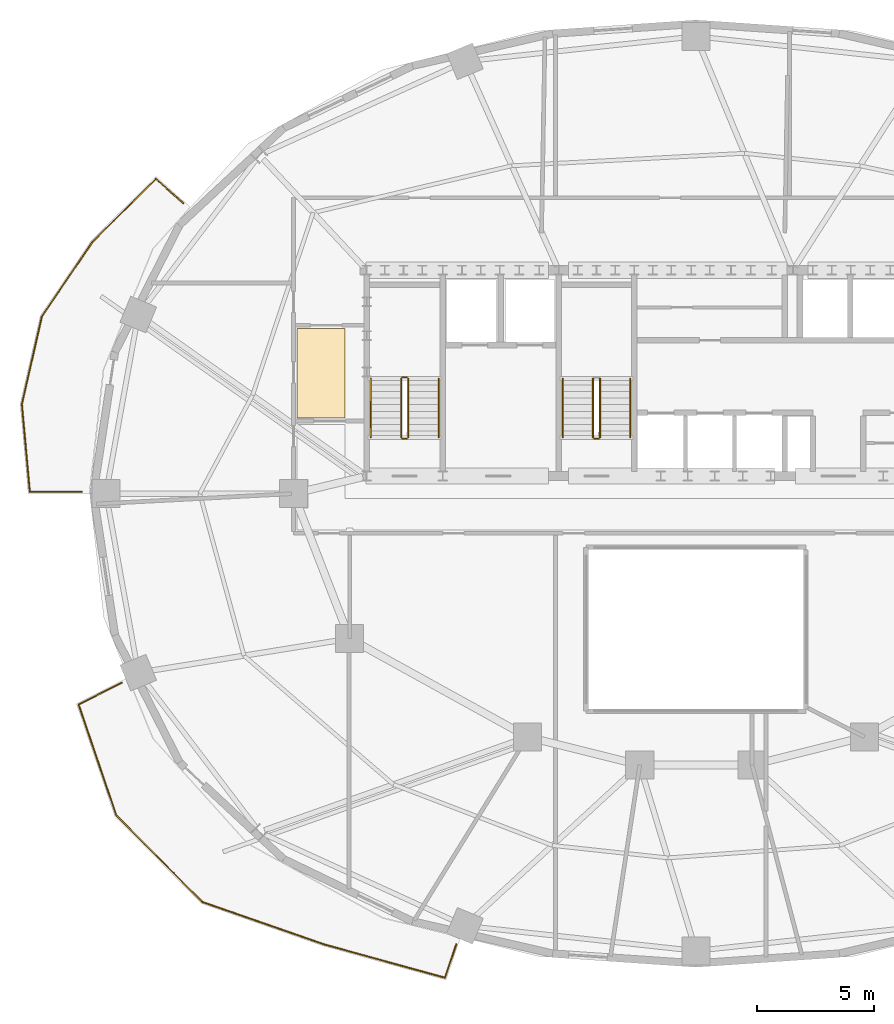
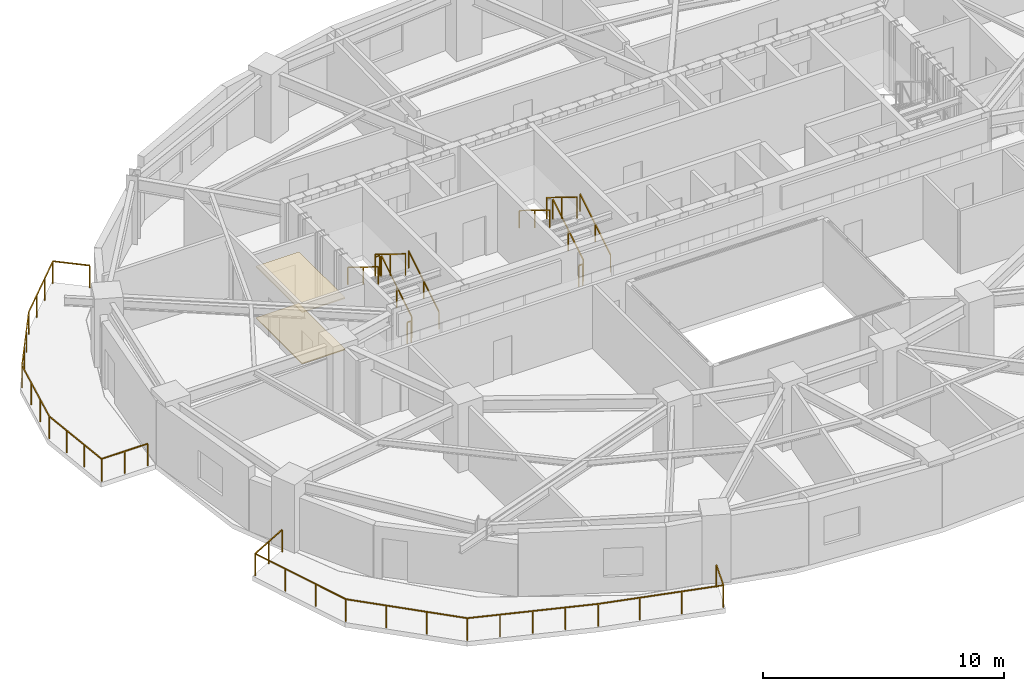
# One storey, part 9 of 11: 13 railings, 2 coverings.
"""IFC4 building model written with IfcOpenShell, lengths in metres."""

from ifc_helpers import new_model, si_unit, direction, frame, origin, origin_2d, place, context, subcontext, project, spatial, polyline, rectangle, outline, extrude, material, layer, layer_set, type_object, element, save


model = new_model("IFC4")

# Units and contexts
model_context = context("Model", 3, precision=1e-05, world=origin(), true_north=direction((0.0, 1.0)))
body_context = subcontext(model_context, "Body", "Model", "MODEL_VIEW")
ifc_project = project(units=[si_unit("LENGTHUNIT", "METRE"), si_unit("AREAUNIT", "SQUARE_METRE"), si_unit("VOLUMEUNIT", "CUBIC_METRE"), si_unit("PLANEANGLEUNIT", "RADIAN"), si_unit("MASSUNIT", "GRAM", prefix="KILO")], contexts=[model_context])

# Site, building, storey
site_placement = place(None, origin())
site = spatial("IfcSite", under=ifc_project, at=site_placement, CompositionType="ELEMENT")
building_placement = place(site_placement, origin())
building = spatial("IfcBuilding", under=site, at=building_placement, Name="Haldorwick Loom Tower", CompositionType="ELEMENT")
storey_placement = place(building_placement, frame((0.0, 0.0, 168.25)))
storey = spatial("IfcBuildingStorey", under=building, at=storey_placement, Name="L45", CompositionType="ELEMENT", Elevation=168.25)

# Coverings
ifc_material_1 = material(Name="Mineral Fibre Acoustic Ceiling Tile")
ifc_layer_1 = layer(ifc_material_1, 0.054931640625, Name="Mineral Fibre Acoustic Ceiling Tile")
ifc_layer_set_1 = layer_set([ifc_layer_1], Name="Mineral Fibre Acoustic Ceiling Tile")
covering_type_1 = type_object("IfcCoveringType", Name="ARC-COV-CEIL2", PredefinedType="CEILING", material=ifc_layer_set_1)
covering_1_placement = place(storey_placement, frame((0.0, 0.0, 2.594970703125)))
element("IfcCovering", 1, at=covering_1_placement, inside=storey, type_object=covering_type_1, Name="L45 Acoustic Suspended Ceiling 2", PredefinedType="CEILING", context=body_context, shape_type="SweptSolid", body=[
    extrude(outline(polyline([(18.93994140625, 29.239990234375), (21.0, 29.239990234375), (21.0, 33.06005859375), (18.93994140625, 33.06005859375), (18.93994140625, 29.239990234375)])), origin(), (0.0, 0.0, 1.0), 0.054931640625),
])
ifc_material_2 = material(Name="Polished Aggregate Terrazzo Finish")
ifc_layer_2 = layer(ifc_material_2, 0.044921875, Name="Polished Aggregate Terrazzo Finish")
ifc_layer_set_2 = layer_set([ifc_layer_2], Name="Polished Aggregate Terrazzo Finish")
covering_type_2 = type_object("IfcCoveringType", Name="ARC-COV-FLOOR2", PredefinedType="FLOORING", material=ifc_layer_set_2)
covering_2_placement = place(storey_placement, origin())
element("IfcCovering", 2, at=covering_2_placement, inside=storey, type_object=covering_type_2, Name="L45 Floor Finish 2", PredefinedType="FLOORING", context=body_context, shape_type="SweptSolid", body=[
    extrude(outline(polyline([(18.93994140625, 29.239990234375), (21.0, 29.239990234375), (21.0, 33.06005859375), (18.93994140625, 33.06005859375), (18.93994140625, 29.239990234375)])), origin(), (0.0, 0.0, 1.0), 0.044921875),
])

# Railings
ifc_material_3 = material(Name="Galvanized Steel CSA G40.21 350W", Category="steel")
railing_type_1 = type_object("IfcRailingType", Name="ARC-RLG-BAL115", PredefinedType="BALUSTRADE", material=ifc_material_3)
railing_1_placement = place(storey_placement, frame((25.7529296875, 6.729248046875, 0.0)))
element("IfcRailing", 3, at=railing_1_placement, inside=storey, type_object=railing_type_1, Name="L45 Outdoor Terrace Guardrail SLB-L45-BAL_SW-1", PredefinedType="BALUSTRADE", context=body_context, shape_type="SweptSolid", body=[
    extrude(rectangle(XDim=0.048095703125, YDim=0.048095703125, at=origin_2d()), frame((0.0, 0.0, 1.1259765625), z_axis=(-0.322406178713, -0.946601424005, 0.0), x_axis=(0.946601424005, -0.322406178713, 0.0)), (0.0, 0.0, 1.0), 1.50390625),
    extrude(rectangle(XDim=0.048095703125, YDim=0.048095703125, at=origin_2d()), frame((-0.48486328125, -1.423583984375, 1.1259765625), z_axis=(-0.963887495087, 0.26630977604, 0.0), x_axis=(-0.26630977604, -0.963887495087, 0.0)), (0.0, 0.0, 1.0), 5.362060546875),
    extrude(rectangle(XDim=0.048095703125, YDim=0.048095703125, at=origin_2d()), frame((-5.6533203125, 0.00439453125, 1.1259765625), z_axis=(-0.944255242704, 0.329214271603, 0.0), x_axis=(-0.329214271603, -0.944255242704, 0.0)), (0.0, 0.0, 1.0), 5.514404296875),
    extrude(rectangle(XDim=0.048095703125, YDim=0.048095703125, at=origin_2d()), frame((-10.8603515625, 1.81982421875, 1.1259765625), z_axis=(-0.703914686056, 0.710284530843, 0.0), x_axis=(-0.710284530843, -0.703914686056, 0.0)), (0.0, 0.0, 1.0), 5.212646484375),
    extrude(rectangle(XDim=0.048095703125, YDim=0.048095703125, at=origin_2d()), frame((-14.529541015625, 5.522216796875, 1.1259765625), z_axis=(-0.322602238065, 0.946534624827, 0.0), x_axis=(-0.946534624827, -0.322602238065, 0.0)), (0.0, 0.0, 1.0), 4.992431640625),
    extrude(rectangle(XDim=0.048095703125, YDim=0.048095703125, at=origin_2d()), frame((-16.14013671875, 10.247802734375, 1.1259765625), z_axis=(0.890336452493, 0.455303197181, 0.0), x_axis=(-0.455303197181, 0.890336452493, 0.0)), (0.0, 0.0, 1.0), 2.0595703125),
    extrude(rectangle(XDim=0.0419921875, YDim=0.0419921875, at=origin_2d()), origin(), (0.0, 0.0, 1.0), 1.101806640625),
    extrude(rectangle(XDim=0.0419921875, YDim=0.0419921875, at=origin_2d()), frame((-0.48486328125, -1.423583984375, 0.0)), (0.0, 0.0, 1.0), 1.101806640625),
    extrude(rectangle(XDim=0.0419921875, YDim=0.0419921875, at=origin_2d()), frame((-2.207763671875, -0.947509765625, 0.0)), (0.0, 0.0, 1.0), 1.101806640625),
    extrude(rectangle(XDim=0.0419921875, YDim=0.0419921875, at=origin_2d()), frame((-3.930419921875, -0.4716796875, 0.0)), (0.0, 0.0, 1.0), 1.101806640625),
    extrude(rectangle(XDim=0.0419921875, YDim=0.0419921875, at=origin_2d()), frame((-5.6533203125, 0.00439453125, 0.0)), (0.0, 0.0, 1.0), 1.101806640625),
    extrude(rectangle(XDim=0.0419921875, YDim=0.0419921875, at=origin_2d()), frame((-6.955078125, 0.458251953125, 0.0)), (0.0, 0.0, 1.0), 1.101806640625),
    extrude(rectangle(XDim=0.0419921875, YDim=0.0419921875, at=origin_2d()), frame((-8.2568359375, 0.912109375, 0.0)), (0.0, 0.0, 1.0), 1.101806640625),
    extrude(rectangle(XDim=0.0419921875, YDim=0.0419921875, at=origin_2d()), frame((-9.55859375, 1.365966796875, 0.0)), (0.0, 0.0, 1.0), 1.101806640625),
    extrude(rectangle(XDim=0.0419921875, YDim=0.0419921875, at=origin_2d()), frame((-10.8603515625, 1.81982421875, 0.0)), (0.0, 0.0, 1.0), 1.101806640625),
    extrude(rectangle(XDim=0.0419921875, YDim=0.0419921875, at=origin_2d()), frame((-12.08349609375, 3.053955078125, 0.0)), (0.0, 0.0, 1.0), 1.101806640625),
    extrude(rectangle(XDim=0.0419921875, YDim=0.0419921875, at=origin_2d()), frame((-13.306396484375, 4.2880859375, 0.0)), (0.0, 0.0, 1.0), 1.101806640625),
    extrude(rectangle(XDim=0.0419921875, YDim=0.0419921875, at=origin_2d()), frame((-14.529541015625, 5.522216796875, 0.0)), (0.0, 0.0, 1.0), 1.101806640625),
    extrude(rectangle(XDim=0.0419921875, YDim=0.0419921875, at=origin_2d()), frame((-15.06640625, 7.097412109375, 0.0)), (0.0, 0.0, 1.0), 1.101806640625),
    extrude(rectangle(XDim=0.0419921875, YDim=0.0419921875, at=origin_2d()), frame((-15.603271484375, 8.672607421875, 0.0)), (0.0, 0.0, 1.0), 1.101806640625),
    extrude(rectangle(XDim=0.0419921875, YDim=0.0419921875, at=origin_2d()), frame((-16.14013671875, 10.247802734375, 0.0)), (0.0, 0.0, 1.0), 1.101806640625),
    extrude(rectangle(XDim=0.0419921875, YDim=0.0419921875, at=origin_2d()), frame((-15.22314453125, 10.716796875, 0.0)), (0.0, 0.0, 1.0), 1.101806640625),
    extrude(rectangle(XDim=0.0419921875, YDim=0.0419921875, at=origin_2d()), frame((-14.306396484375, 11.185546875, 0.0)), (0.0, 0.0, 1.0), 1.101806640625),
])
railing_2_placement = place(storey_placement, frame((9.73974609375, 26.080078125, 0.0)))
element("IfcRailing", 4, at=railing_2_placement, inside=storey, type_object=railing_type_1, Name="L45 Outdoor Terrace Guardrail SLB-L45-BAL_WNW-1", PredefinedType="BALUSTRADE", context=body_context, shape_type="SweptSolid", body=[
    extrude(rectangle(XDim=0.048095703125, YDim=0.048095703125, at=origin_2d()), frame((0.0, 0.0, 1.1259765625), z_axis=(-1.0, 0.0, 0.0), x_axis=(0.0, -1.0, 0.0)), (0.0, 0.0, 1.0), 2.213623046875),
    extrude(rectangle(XDim=0.048095703125, YDim=0.048095703125, at=origin_2d()), frame((-2.213623046875, 0.0, 1.1259765625), z_axis=(-0.090084493838, 0.995934126321, 0.0), x_axis=(-0.995934126321, -0.090084493838, 0.0)), (0.0, 0.0, 1.0), 3.75634765625),
    extrude(rectangle(XDim=0.048095703125, YDim=0.048095703125, at=origin_2d()), frame((-2.552001953125, 3.740966796875, 1.1259765625), z_axis=(0.222293609144, 0.974979769705, 0.0), x_axis=(-0.974979769705, 0.222293609144, 0.0)), (0.0, 0.0, 1.0), 3.843994140625),
    extrude(rectangle(XDim=0.048095703125, YDim=0.048095703125, at=origin_2d()), frame((-1.697509765625, 7.48876953125, 1.1259765625), z_axis=(0.561419511162, 0.827531348341, 0.0), x_axis=(-0.827531348341, 0.561419511162, 0.0)), (0.0, 0.0, 1.0), 3.86328125),
    extrude(rectangle(XDim=0.048095703125, YDim=0.048095703125, at=origin_2d()), frame((0.471435546875, 10.685791015625, 1.1259765625), z_axis=(0.710110402441, 0.704090346721, 0.0), x_axis=(-0.704090346721, 0.710110402441, 0.0)), (0.0, 0.0, 1.0), 3.81201171875),
    extrude(rectangle(XDim=0.048095703125, YDim=0.048095703125, at=origin_2d()), frame((3.178466796875, 13.369873046875, 1.1259765625), z_axis=(0.748099700709, -0.663586345399, 0.0), x_axis=(0.663586345399, 0.748099700709, 0.0)), (0.0, 0.0, 1.0), 1.56005859375),
    extrude(rectangle(XDim=0.0419921875, YDim=0.0419921875, at=origin_2d()), origin(), (0.0, 0.0, 1.0), 1.101806640625),
    extrude(rectangle(XDim=0.0419921875, YDim=0.0419921875, at=origin_2d()), frame((-1.10693359375, 0.0, 0.0)), (0.0, 0.0, 1.0), 1.101806640625),
    extrude(rectangle(XDim=0.0419921875, YDim=0.0419921875, at=origin_2d()), frame((-2.213623046875, 0.0, 0.0)), (0.0, 0.0, 1.0), 1.101806640625),
    extrude(rectangle(XDim=0.0419921875, YDim=0.0419921875, at=origin_2d()), frame((-2.326416015625, 1.2470703125, 0.0)), (0.0, 0.0, 1.0), 1.101806640625),
    extrude(rectangle(XDim=0.0419921875, YDim=0.0419921875, at=origin_2d()), frame((-2.439208984375, 2.493896484375, 0.0)), (0.0, 0.0, 1.0), 1.101806640625),
    extrude(rectangle(XDim=0.0419921875, YDim=0.0419921875, at=origin_2d()), frame((-2.552001953125, 3.740966796875, 0.0)), (0.0, 0.0, 1.0), 1.101806640625),
    extrude(rectangle(XDim=0.0419921875, YDim=0.0419921875, at=origin_2d()), frame((-2.26708984375, 4.990234375, 0.0)), (0.0, 0.0, 1.0), 1.101806640625),
    extrude(rectangle(XDim=0.0419921875, YDim=0.0419921875, at=origin_2d()), frame((-1.982421875, 6.239501953125, 0.0)), (0.0, 0.0, 1.0), 1.101806640625),
    extrude(rectangle(XDim=0.0419921875, YDim=0.0419921875, at=origin_2d()), frame((-1.697509765625, 7.48876953125, 0.0)), (0.0, 0.0, 1.0), 1.101806640625),
    extrude(rectangle(XDim=0.0419921875, YDim=0.0419921875, at=origin_2d()), frame((-0.974609375, 8.554443359375, 0.0)), (0.0, 0.0, 1.0), 1.101806640625),
    extrude(rectangle(XDim=0.0419921875, YDim=0.0419921875, at=origin_2d()), frame((-0.25146484375, 9.6201171875, 0.0)), (0.0, 0.0, 1.0), 1.101806640625),
    extrude(rectangle(XDim=0.0419921875, YDim=0.0419921875, at=origin_2d()), frame((0.471435546875, 10.685791015625, 0.0)), (0.0, 0.0, 1.0), 1.101806640625),
    extrude(rectangle(XDim=0.0419921875, YDim=0.0419921875, at=origin_2d()), frame((1.373779296875, 11.58056640625, 0.0)), (0.0, 0.0, 1.0), 1.101806640625),
    extrude(rectangle(XDim=0.0419921875, YDim=0.0419921875, at=origin_2d()), frame((2.276123046875, 12.47509765625, 0.0)), (0.0, 0.0, 1.0), 1.101806640625),
    extrude(rectangle(XDim=0.0419921875, YDim=0.0419921875, at=origin_2d()), frame((3.178466796875, 13.369873046875, 0.0)), (0.0, 0.0, 1.0), 1.101806640625),
    extrude(rectangle(XDim=0.0419921875, YDim=0.0419921875, at=origin_2d()), frame((4.345458984375, 12.334716796875, 0.0)), (0.0, 0.0, 1.0), 1.101806640625),
])
ifc_material_4 = material(Name="Steel CSA G40.21 350W", Category="steel")
railing_type_2 = type_object("IfcRailingType", Name="ARC-RLG-GUARD112", PredefinedType="GUARDRAIL", material=ifc_material_4)
railing_3_placement = place(storey_placement, frame((23.699951171875, 28.39990234375, 0.172607421875)))
element("IfcRailing", 5, at=railing_3_placement, inside=storey, type_object=railing_type_2, Name="L45 ST-01 stair guard 1", PredefinedType="GUARDRAIL", context=body_context, shape_type="SweptSolid", body=[
    extrude(rectangle(XDim=0.048095703125, YDim=0.048095703125, at=origin_2d()), frame((0.0, 0.0, 1.076171875), z_axis=(0.0, 0.851400495292, 0.524516154772), x_axis=(-1.0, 0.0, 0.0)), (0.0, 0.0, 1.0), 2.9599609375),
    extrude(rectangle(XDim=0.0419921875, YDim=0.0419921875, at=origin_2d()), origin(), (0.0, 0.0, 1.0), 1.052001953125),
    extrude(rectangle(XDim=0.0419921875, YDim=0.0419921875, at=origin_2d()), frame((0.0, 1.260009765625, 0.7763671875)), (0.0, 0.0, 1.0), 1.052001953125),
    extrude(rectangle(XDim=0.0419921875, YDim=0.0419921875, at=origin_2d()), frame((0.0, 2.52001953125, 1.552490234375)), (0.0, 0.0, 1.0), 1.052001953125),
])
railing_4_placement = place(storey_placement, frame((23.64990234375, 30.969970703125, 1.72509765625)))
element("IfcRailing", 6, at=railing_4_placement, inside=storey, type_object=railing_type_2, Name="L45 ST-01 stair guard 2", PredefinedType="GUARDRAIL", context=body_context, shape_type="SweptSolid", body=[
    extrude(rectangle(XDim=0.048095703125, YDim=0.048095703125, at=origin_2d()), frame((0.0, 0.0, 1.076171875), z_axis=(-1.0, 0.0, 0.0), x_axis=(0.0, -1.0, 0.0)), (0.0, 0.0, 1.0), 0.199951171875),
    extrude(rectangle(XDim=0.0419921875, YDim=0.0419921875, at=origin_2d()), origin(), (0.0, 0.0, 1.0), 1.052001953125),
    extrude(rectangle(XDim=0.0419921875, YDim=0.0419921875, at=origin_2d()), frame((-0.199951171875, 0.0, 0.0)), (0.0, 0.0, 1.0), 1.052001953125),
])
railing_5_placement = place(storey_placement, frame((23.39990234375, 30.919921875, 1.8974609375)))
element("IfcRailing", 7, at=railing_5_placement, inside=storey, type_object=railing_type_2, Name="L45 ST-01 stair guard 3", PredefinedType="GUARDRAIL", context=body_context, shape_type="SweptSolid", body=[
    extrude(rectangle(XDim=0.048095703125, YDim=0.048095703125, at=origin_2d()), frame((0.0, 0.0, 1.076171875), z_axis=(0.0, -0.851400495292, 0.524516154772), x_axis=(1.0, 0.0, 0.0)), (0.0, 0.0, 1.0), 2.9599609375),
    extrude(rectangle(XDim=0.0419921875, YDim=0.0419921875, at=origin_2d()), origin(), (0.0, 0.0, 1.0), 1.052001953125),
    extrude(rectangle(XDim=0.0419921875, YDim=0.0419921875, at=origin_2d()), frame((0.0, -1.260009765625, 0.7763671875)), (0.0, 0.0, 1.0), 1.052001953125),
    extrude(rectangle(XDim=0.0419921875, YDim=0.0419921875, at=origin_2d()), frame((0.0, -2.52001953125, 1.552490234375)), (0.0, 0.0, 1.0), 1.052001953125),
])
railing_6_placement = place(storey_placement, frame((23.64990234375, 28.35009765625, 0.0)))
element("IfcRailing", 8, at=railing_6_placement, inside=storey, type_object=railing_type_2, Name="L45 ST-01 stair guard 4", PredefinedType="GUARDRAIL", context=body_context, shape_type="SweptSolid", body=[
    extrude(rectangle(XDim=0.048095703125, YDim=0.048095703125, at=origin_2d()), frame((0.0, 0.0, 1.076171875), z_axis=(-1.0, 0.0, 0.0), x_axis=(0.0, -1.0, 0.0)), (0.0, 0.0, 1.0), 0.199951171875),
    extrude(rectangle(XDim=0.0419921875, YDim=0.0419921875, at=origin_2d()), origin(), (0.0, 0.0, 1.0), 1.052001953125),
    extrude(rectangle(XDim=0.0419921875, YDim=0.0419921875, at=origin_2d()), frame((-0.199951171875, 0.0, 0.0)), (0.0, 0.0, 1.0), 1.052001953125),
])
railing_7_placement = place(storey_placement, frame((31.89990234375, 28.39990234375, 0.172607421875)))
element("IfcRailing", 9, at=railing_7_placement, inside=storey, type_object=railing_type_2, Name="L45 ST-03 stair guard 1", PredefinedType="GUARDRAIL", context=body_context, shape_type="SweptSolid", body=[
    extrude(rectangle(XDim=0.048095703125, YDim=0.048095703125, at=origin_2d()), frame((0.0, 0.0, 1.076171875), z_axis=(0.0, 0.851400495292, 0.524516154772), x_axis=(-1.0, 0.0, 0.0)), (0.0, 0.0, 1.0), 2.9599609375),
    extrude(rectangle(XDim=0.0419921875, YDim=0.0419921875, at=origin_2d()), origin(), (0.0, 0.0, 1.0), 1.052001953125),
    extrude(rectangle(XDim=0.0419921875, YDim=0.0419921875, at=origin_2d()), frame((0.0, 1.260009765625, 0.7763671875)), (0.0, 0.0, 1.0), 1.052001953125),
    extrude(rectangle(XDim=0.0419921875, YDim=0.0419921875, at=origin_2d()), frame((0.0, 2.52001953125, 1.552490234375)), (0.0, 0.0, 1.0), 1.052001953125),
])
railing_8_placement = place(storey_placement, frame((31.60009765625, 30.919921875, 1.8974609375)))
element("IfcRailing", 10, at=railing_8_placement, inside=storey, type_object=railing_type_2, Name="L45 ST-03 stair guard 3", PredefinedType="GUARDRAIL", context=body_context, shape_type="SweptSolid", body=[
    extrude(rectangle(XDim=0.048095703125, YDim=0.048095703125, at=origin_2d()), frame((0.0, 0.0, 1.076171875), z_axis=(0.0, -0.851400495292, 0.524516154772), x_axis=(1.0, 0.0, 0.0)), (0.0, 0.0, 1.0), 2.9599609375),
    extrude(rectangle(XDim=0.0419921875, YDim=0.0419921875, at=origin_2d()), origin(), (0.0, 0.0, 1.0), 1.052001953125),
    extrude(rectangle(XDim=0.0419921875, YDim=0.0419921875, at=origin_2d()), frame((0.0, -1.260009765625, 0.7763671875)), (0.0, 0.0, 1.0), 1.052001953125),
    extrude(rectangle(XDim=0.0419921875, YDim=0.0419921875, at=origin_2d()), frame((0.0, -2.52001953125, 1.552490234375)), (0.0, 0.0, 1.0), 1.052001953125),
])
railing_9_placement = place(storey_placement, frame((31.85009765625, 28.35009765625, 0.0)))
element("IfcRailing", 11, at=railing_9_placement, inside=storey, type_object=railing_type_2, Name="L45 ST-03 stair guard 4", PredefinedType="GUARDRAIL", context=body_context, shape_type="SweptSolid", body=[
    extrude(rectangle(XDim=0.048095703125, YDim=0.048095703125, at=origin_2d()), frame((0.0, 0.0, 1.076171875), z_axis=(-1.0, 0.0, 0.0), x_axis=(0.0, -1.0, 0.0)), (0.0, 0.0, 1.0), 0.2001953125),
    extrude(rectangle(XDim=0.0419921875, YDim=0.0419921875, at=origin_2d()), origin(), (0.0, 0.0, 1.0), 1.052001953125),
    extrude(rectangle(XDim=0.0419921875, YDim=0.0419921875, at=origin_2d()), frame((-0.2001953125, 0.0, 0.0)), (0.0, 0.0, 1.0), 1.052001953125),
])
railing_type_3 = type_object("IfcRailingType", Name="ARC-RLG-HAND092", PredefinedType="HANDRAIL", material=ifc_material_4)
railing_10_placement = place(storey_placement, frame((25.0, 28.39990234375, 0.172607421875)))
element("IfcRailing", 12, at=railing_10_placement, inside=storey, type_object=railing_type_3, Name="L45 ST-01 stair handrail 1", PredefinedType="HANDRAIL", context=body_context, shape_type="SweptSolid", body=[
    extrude(rectangle(XDim=0.048095703125, YDim=0.048095703125, at=origin_2d()), frame((0.0, 0.0, 0.8759765625), z_axis=(0.0, 0.851400495292, 0.524516154772), x_axis=(-1.0, 0.0, 0.0)), (0.0, 0.0, 1.0), 2.9599609375),
    extrude(rectangle(XDim=0.0419921875, YDim=0.0419921875, at=origin_2d()), origin(), (0.0, 0.0, 1.0), 0.851806640625),
    extrude(rectangle(XDim=0.0419921875, YDim=0.0419921875, at=origin_2d()), frame((0.0, 1.260009765625, 0.7763671875)), (0.0, 0.0, 1.0), 0.851806640625),
    extrude(rectangle(XDim=0.0419921875, YDim=0.0419921875, at=origin_2d()), frame((0.0, 2.52001953125, 1.552490234375)), (0.0, 0.0, 1.0), 0.851806640625),
])
railing_11_placement = place(storey_placement, frame((22.10009765625, 30.919921875, 1.8974609375)))
element("IfcRailing", 13, at=railing_11_placement, inside=storey, type_object=railing_type_3, Name="L45 ST-01 stair handrail 2", PredefinedType="HANDRAIL", context=body_context, shape_type="SweptSolid", body=[
    extrude(rectangle(XDim=0.048095703125, YDim=0.048095703125, at=origin_2d()), frame((0.0, 0.0, 0.8759765625), z_axis=(0.0, -0.851400495292, 0.524516154772), x_axis=(1.0, 0.0, 0.0)), (0.0, 0.0, 1.0), 2.9599609375),
    extrude(rectangle(XDim=0.0419921875, YDim=0.0419921875, at=origin_2d()), origin(), (0.0, 0.0, 1.0), 0.851806640625),
    extrude(rectangle(XDim=0.0419921875, YDim=0.0419921875, at=origin_2d()), frame((0.0, -1.260009765625, 0.7763671875)), (0.0, 0.0, 1.0), 0.851806640625),
    extrude(rectangle(XDim=0.0419921875, YDim=0.0419921875, at=origin_2d()), frame((0.0, -2.52001953125, 1.552490234375)), (0.0, 0.0, 1.0), 0.851806640625),
])
railing_12_placement = place(storey_placement, frame((33.199951171875, 28.39990234375, 0.172607421875)))
element("IfcRailing", 14, at=railing_12_placement, inside=storey, type_object=railing_type_3, Name="L45 ST-03 stair handrail 1", PredefinedType="HANDRAIL", context=body_context, shape_type="SweptSolid", body=[
    extrude(rectangle(XDim=0.048095703125, YDim=0.048095703125, at=origin_2d()), frame((0.0, 0.0, 0.8759765625), z_axis=(0.0, 0.851400495292, 0.524516154772), x_axis=(-1.0, 0.0, 0.0)), (0.0, 0.0, 1.0), 2.9599609375),
    extrude(rectangle(XDim=0.0419921875, YDim=0.0419921875, at=origin_2d()), origin(), (0.0, 0.0, 1.0), 0.851806640625),
    extrude(rectangle(XDim=0.0419921875, YDim=0.0419921875, at=origin_2d()), frame((0.0, 1.260009765625, 0.7763671875)), (0.0, 0.0, 1.0), 0.851806640625),
    extrude(rectangle(XDim=0.0419921875, YDim=0.0419921875, at=origin_2d()), frame((0.0, 2.52001953125, 1.552490234375)), (0.0, 0.0, 1.0), 0.851806640625),
])
railing_13_placement = place(storey_placement, frame((30.300048828125, 30.919921875, 1.8974609375)))
element("IfcRailing", 15, at=railing_13_placement, inside=storey, type_object=railing_type_3, Name="L45 ST-03 stair handrail 2", PredefinedType="HANDRAIL", context=body_context, shape_type="SweptSolid", body=[
    extrude(rectangle(XDim=0.048095703125, YDim=0.048095703125, at=origin_2d()), frame((0.0, 0.0, 0.8759765625), z_axis=(0.0, -0.851400495292, 0.524516154772), x_axis=(1.0, 0.0, 0.0)), (0.0, 0.0, 1.0), 2.9599609375),
    extrude(rectangle(XDim=0.0419921875, YDim=0.0419921875, at=origin_2d()), origin(), (0.0, 0.0, 1.0), 0.851806640625),
    extrude(rectangle(XDim=0.0419921875, YDim=0.0419921875, at=origin_2d()), frame((0.0, -1.260009765625, 0.7763671875)), (0.0, 0.0, 1.0), 0.851806640625),
    extrude(rectangle(XDim=0.0419921875, YDim=0.0419921875, at=origin_2d()), frame((0.0, -2.52001953125, 1.552490234375)), (0.0, 0.0, 1.0), 0.851806640625),
])

save(model, "model.ifc")
